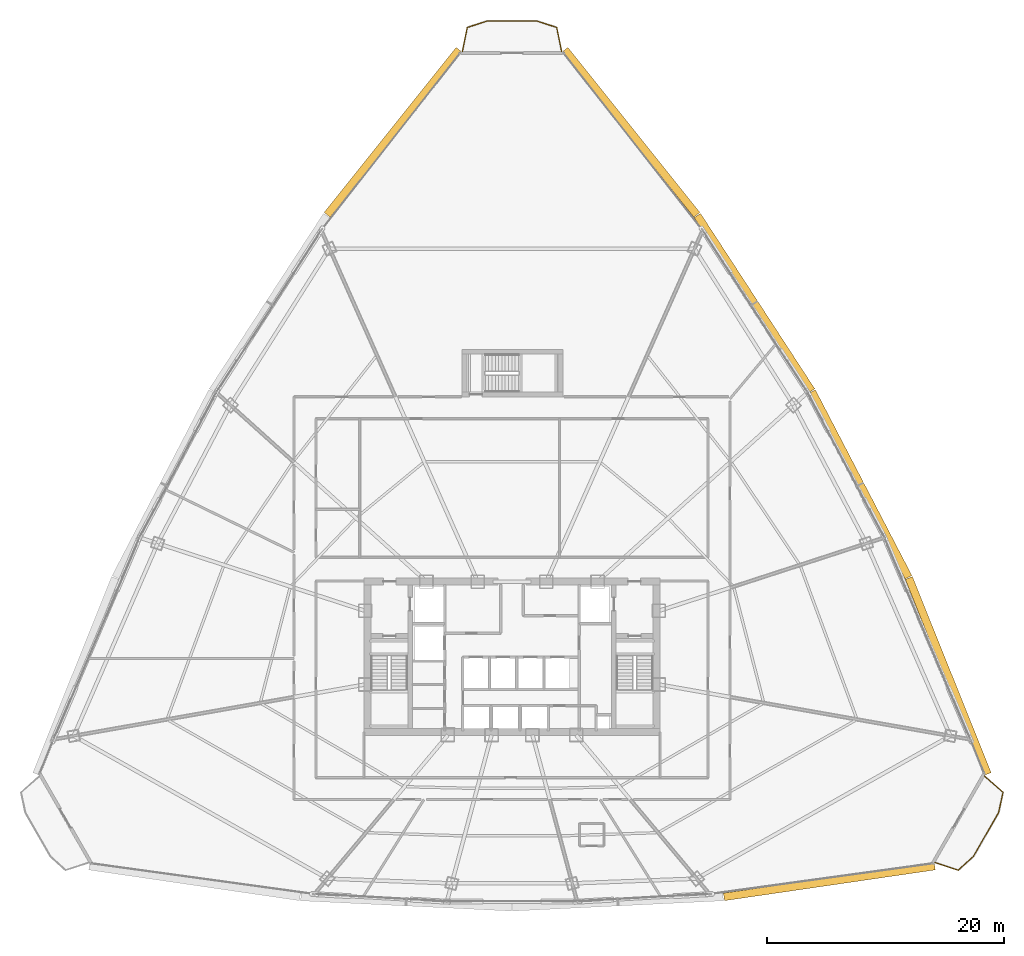
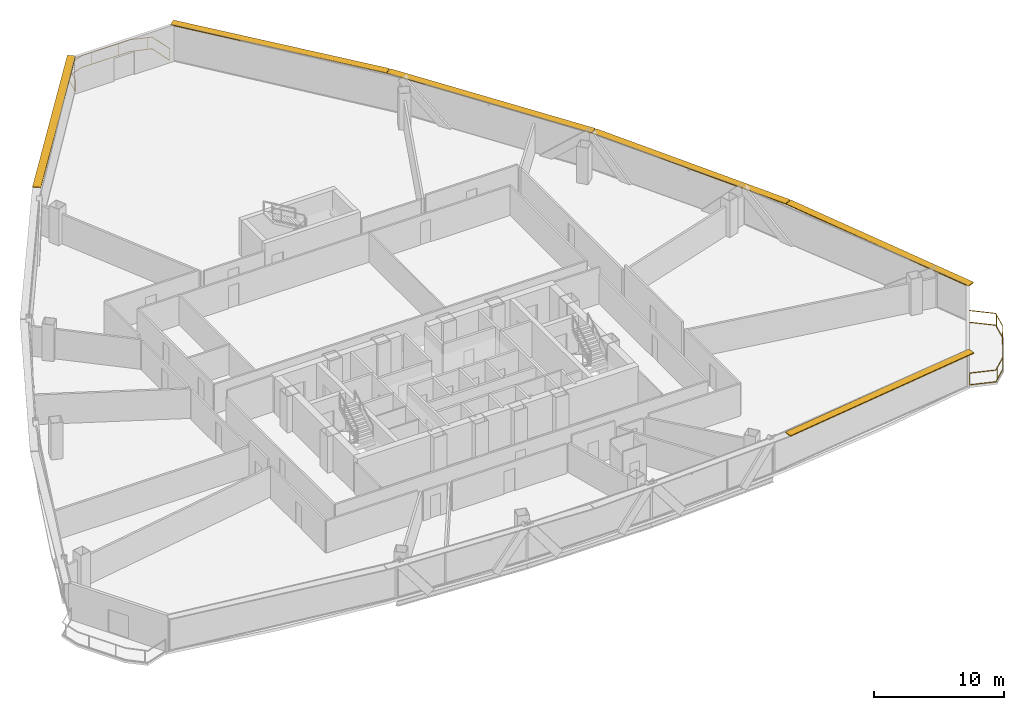
# One storey, part 39 of 39: 6 shading devices, 2 railings.
"""IFC4 building model written with IfcOpenShell, lengths in metres."""

from ifc_helpers import new_model, si_unit, direction, frame, origin, origin_2d, place, context, subcontext, project, spatial, rectangle, extrude, source, transform, mapped, material, layer, layer_set, type_object, element, save


model = new_model("IFC4")

# Units and contexts
model_context = context("Model", 3, precision=1e-05, world=origin(), true_north=direction((0.0, 1.0)))
body_context = subcontext(model_context, "Body", "Model", "MODEL_VIEW")
ifc_project = project(units=[si_unit("LENGTHUNIT", "METRE"), si_unit("AREAUNIT", "SQUARE_METRE"), si_unit("VOLUMEUNIT", "CUBIC_METRE"), si_unit("PLANEANGLEUNIT", "RADIAN"), si_unit("MASSUNIT", "GRAM", prefix="KILO"), si_unit("THERMODYNAMICTEMPERATUREUNIT", "KELVIN"), si_unit("POWERUNIT", "WATT")], contexts=[model_context])

# Site, building, storey
site_placement = place(None, origin())
site = spatial("IfcSite", under=ifc_project, at=site_placement, CompositionType="ELEMENT")
building_placement = place(site_placement, origin())
building = spatial("IfcBuilding", under=site, at=building_placement, Name="Yunzhuo Pagoda Commons", CompositionType="ELEMENT")
storey_placement = place(building_placement, frame((0.0, 0.0, 140.8701171875)))
storey = spatial("IfcBuildingStorey", under=building, at=storey_placement, Name="L35", CompositionType="ELEMENT", Elevation=140.8701171875)

# Railings
ifc_material = material(Name="Anodized aluminium 6063-T6", Category="aluminium")
railing_type = type_object("IfcRailingType", Name="RL-BAL1 Exterior Terrace & Balcony Balustrade 1150", PredefinedType="BALUSTRADE", material=ifc_material)
railing_1_placement = place(storey_placement, frame((83.715087890625, 16.4912109375, 0.0)))
element("IfcRailing", 1, at=railing_1_placement, inside=storey, type_object=railing_type, Name="L35 corner balcony balustrade V2", PredefinedType="BALUSTRADE", context=body_context, shape_type="SweptSolid", body=[
    extrude(rectangle(XDim=0.048095703125, YDim=0.048095703125, at=origin_2d()), frame((0.0, 0.0, 1.1259765625), z_axis=(0.947419062147, -0.319995501031, 0.0), x_axis=(0.319995501031, 0.947419062147, 0.0)), (0.0, 0.0, 1.0), 2.05908203125),
    extrude(rectangle(XDim=0.048095703125, YDim=0.048095703125, at=origin_2d()), frame((0.0, 0.0, 0.02392578125), z_axis=(0.947419062147, -0.319995501031, 0.0), x_axis=(0.319995501031, 0.947419062147, 0.0)), (0.0, 0.0, 1.0), 2.05908203125),
    extrude(rectangle(XDim=0.048095703125, YDim=0.048095703125, at=origin_2d()), frame((1.950927734375, -0.658935546875, 1.1259765625), z_axis=(0.738206272815, 0.674575050514, 0.0), x_axis=(-0.674575050514, 0.738206272815, 0.0)), (0.0, 0.0, 1.0), 1.741943359375),
    extrude(rectangle(XDim=0.048095703125, YDim=0.048095703125, at=origin_2d()), frame((1.950927734375, -0.658935546875, 0.02392578125), z_axis=(0.738206272815, 0.674575050514, 0.0), x_axis=(-0.674575050514, 0.738206272815, 0.0)), (0.0, 0.0, 1.0), 1.741943359375),
    extrude(rectangle(XDim=0.048095703125, YDim=0.048095703125, at=origin_2d()), frame((3.23681640625, 0.51611328125, 1.1259765625), z_axis=(0.497938246053, 0.867212490176, 0.0), x_axis=(-0.867212490176, 0.497938246053, 0.0)), (0.0, 0.0, 1.0), 4.27880859375),
    extrude(rectangle(XDim=0.048095703125, YDim=0.048095703125, at=origin_2d()), frame((3.23681640625, 0.51611328125, 0.02392578125), z_axis=(0.497938246053, 0.867212490176, 0.0), x_axis=(-0.867212490176, 0.497938246053, 0.0)), (0.0, 0.0, 1.0), 4.27880859375),
    extrude(rectangle(XDim=0.048095703125, YDim=0.048095703125, at=origin_2d()), frame((5.367431640625, 4.226806640625, 1.1259765625), z_axis=(0.210380911568, 0.977619492465, 0.0), x_axis=(-0.977619492465, 0.210380911568, 0.0)), (0.0, 0.0, 1.0), 1.741943359375),
    extrude(rectangle(XDim=0.048095703125, YDim=0.048095703125, at=origin_2d()), frame((5.367431640625, 4.226806640625, 0.02392578125), z_axis=(0.210380911568, 0.977619492465, 0.0), x_axis=(-0.977619492465, 0.210380911568, 0.0)), (0.0, 0.0, 1.0), 1.741943359375),
    extrude(rectangle(XDim=0.048095703125, YDim=0.048095703125, at=origin_2d()), frame((5.73388671875, 5.9296875, 1.1259765625), z_axis=(-0.753933830692, 0.656950362614, 0.0), x_axis=(-0.656950362614, -0.753933830692, 0.0)), (0.0, 0.0, 1.0), 2.05908203125),
    extrude(rectangle(XDim=0.048095703125, YDim=0.048095703125, at=origin_2d()), frame((5.73388671875, 5.9296875, 0.02392578125), z_axis=(-0.753933830692, 0.656950362614, 0.0), x_axis=(-0.656950362614, -0.753933830692, 0.0)), (0.0, 0.0, 1.0), 2.05908203125),
    extrude(rectangle(XDim=0.0419921875, YDim=0.0419921875, at=origin_2d()), origin(), (0.0, 0.0, 1.0), 1.101806640625),
    extrude(rectangle(XDim=0.0419921875, YDim=0.0419921875, at=origin_2d()), frame((2.202392578125, -0.428955078125, 0.0)), (0.0, 0.0, 1.0), 1.101806640625),
    extrude(rectangle(XDim=0.0419921875, YDim=0.0419921875, at=origin_2d()), frame((3.734130859375, 1.38232421875, 0.0)), (0.0, 0.0, 1.0), 1.101806640625),
    extrude(rectangle(XDim=0.0419921875, YDim=0.0419921875, at=origin_2d()), frame((4.92919921875, 3.463623046875, 0.0)), (0.0, 0.0, 1.0), 1.101806640625),
    extrude(rectangle(XDim=0.0419921875, YDim=0.0419921875, at=origin_2d()), frame((5.687255859375, 5.712890625, 0.0)), (0.0, 0.0, 1.0), 1.101806640625),
    extrude(rectangle(XDim=0.0419921875, YDim=0.0419921875, at=origin_2d()), frame((4.181396484375, 7.282470703125, 0.0)), (0.0, 0.0, 1.0), 1.101806640625),
])
railing_2_placement = place(storey_placement, frame((52.18115234375, 84.958251953125, 0.0)))
element("IfcRailing", 2, at=railing_2_placement, inside=storey, type_object=railing_type, Name="L35 corner balcony balustrade V3", PredefinedType="BALUSTRADE", context=body_context, shape_type="SweptSolid", body=[
    extrude(rectangle(XDim=0.048095703125, YDim=0.048095703125, at=origin_2d()), frame((0.0, 0.0, 1.1259765625), z_axis=(-0.194314652384, 0.980939251875, 0.0), x_axis=(-0.980939251875, -0.194314652384, 0.0)), (0.0, 0.0, 1.0), 2.059326171875),
    extrude(rectangle(XDim=0.048095703125, YDim=0.048095703125, at=origin_2d()), frame((0.0, 0.0, 0.02392578125), z_axis=(-0.194314652384, 0.980939251875, 0.0), x_axis=(-0.980939251875, -0.194314652384, 0.0)), (0.0, 0.0, 1.0), 2.059326171875),
    extrude(rectangle(XDim=0.048095703125, YDim=0.048095703125, at=origin_2d()), frame((-0.400146484375, 2.02001953125, 1.1259765625), z_axis=(-0.952104734014, 0.30577209727, 0.0), x_axis=(-0.30577209727, -0.952104734014, 0.0)), (0.0, 0.0, 1.0), 1.7333984375),
    extrude(rectangle(XDim=0.048095703125, YDim=0.048095703125, at=origin_2d()), frame((-0.400146484375, 2.02001953125, 0.02392578125), z_axis=(-0.952104734014, 0.30577209727, 0.0), x_axis=(-0.30577209727, -0.952104734014, 0.0)), (0.0, 0.0, 1.0), 1.7333984375),
    extrude(rectangle(XDim=0.048095703125, YDim=0.048095703125, at=origin_2d()), frame((-2.050537109375, 2.550048828125, 1.1259765625), z_axis=(-1.0, 0.0, 0.0), x_axis=(0.0, -1.0, 0.0)), (0.0, 0.0, 1.0), 4.26123046875),
    extrude(rectangle(XDim=0.048095703125, YDim=0.048095703125, at=origin_2d()), frame((-2.050537109375, 2.550048828125, 0.02392578125), z_axis=(-1.0, 0.0, 0.0), x_axis=(0.0, -1.0, 0.0)), (0.0, 0.0, 1.0), 4.26123046875),
    extrude(rectangle(XDim=0.048095703125, YDim=0.048095703125, at=origin_2d()), frame((-6.311767578125, 2.550048828125, 1.1259765625), z_axis=(-0.952104734014, -0.30577209727, 0.0), x_axis=(0.30577209727, -0.952104734014, 0.0)), (0.0, 0.0, 1.0), 1.7333984375),
    extrude(rectangle(XDim=0.048095703125, YDim=0.048095703125, at=origin_2d()), frame((-6.311767578125, 2.550048828125, 0.02392578125), z_axis=(-0.952104734014, -0.30577209727, 0.0), x_axis=(0.30577209727, -0.952104734014, 0.0)), (0.0, 0.0, 1.0), 1.7333984375),
    extrude(rectangle(XDim=0.048095703125, YDim=0.048095703125, at=origin_2d()), frame((-7.962158203125, 2.02001953125, 1.1259765625), z_axis=(-0.194314652384, -0.980939251875, 0.0), x_axis=(0.980939251875, -0.194314652384, 0.0)), (0.0, 0.0, 1.0), 2.059326171875),
    extrude(rectangle(XDim=0.048095703125, YDim=0.048095703125, at=origin_2d()), frame((-7.962158203125, 2.02001953125, 0.02392578125), z_axis=(-0.194314652384, -0.980939251875, 0.0), x_axis=(0.980939251875, -0.194314652384, 0.0)), (0.0, 0.0, 1.0), 2.059326171875),
    extrude(rectangle(XDim=0.0419921875, YDim=0.0419921875, at=origin_2d()), origin(), (0.0, 0.0, 1.0), 1.101806640625),
    extrude(rectangle(XDim=0.0419921875, YDim=0.0419921875, at=origin_2d()), frame((-0.724609375, 2.124267578125, 0.0)), (0.0, 0.0, 1.0), 1.101806640625),
    extrude(rectangle(XDim=0.0419921875, YDim=0.0419921875, at=origin_2d()), frame((-3.057861328125, 2.550048828125, 0.0)), (0.0, 0.0, 1.0), 1.101806640625),
    extrude(rectangle(XDim=0.0419921875, YDim=0.0419921875, at=origin_2d()), frame((-5.457763671875, 2.550048828125, 0.0)), (0.0, 0.0, 1.0), 1.101806640625),
    extrude(rectangle(XDim=0.0419921875, YDim=0.0419921875, at=origin_2d()), frame((-7.78369140625, 2.077392578125, 0.0)), (0.0, 0.0, 1.0), 1.101806640625),
    extrude(rectangle(XDim=0.0419921875, YDim=0.0419921875, at=origin_2d()), frame((-8.3623046875, 0.0, 0.0)), (0.0, 0.0, 1.0), 1.101806640625),
])

# Shading devices
ifc_layer = layer(ifc_material, 0.080078125)
ifc_layer_set = layer_set([ifc_layer], Name="Anodized aluminium 6063-T6")
shading_device_type = type_object("IfcShadingDeviceType", Name="SH-SUN1 Pagoda Horizontal Sunshade Eave 650", PredefinedType="USERDEFINED", material=ifc_layer_set)
shared_shape_1 = source(origin(), body_context, "Body", "SweptSolid", [
    extrude(rectangle(XDim=17.98681640625, YDim=0.64990234375, at=origin_2d()), origin(), (0.0, 0.0, 1.0), 0.080078125),
])
shading_device_placement = place(storey_placement, frame((74.791015625, 14.882080078125, 3.33984375), z_axis=(0.0, 0.0, 1.0), x_axis=(0.989510666697, 0.144459823108, 0.0)))
element("IfcShadingDevice", 3, at=shading_device_placement, inside=storey, type_object=shading_device_type, Name="L35 horizontal pagoda sunshade eave F1.4", ObjectType="SUNSHADE", PredefinedType="USERDEFINED", context=body_context, shape_type="MappedRepresentation", body=[
    mapped(shared_shape_1, transform((0.0, 0.0, 0.0), scale=1.0)),
])
shared_shape_2 = source(origin(), body_context, "Body", "SweptSolid", [
    extrude(rectangle(XDim=17.842041015625, YDim=0.64990234375, at=origin_2d()), origin(), (0.0, 0.0, 1.0), 0.080078125),
])
for number, where, z_axis, x_axis, name in (
    (4, (84.823974609375, 32.228271484375, 3.33984375), (0.0, 0.0, 1.0), (-0.372987782576, 0.927836253899, 0.0), "L35 horizontal pagoda sunshade eave F2.1"),
    (5, (58.032470703125, 78.125, 3.33984375), (0.0, 0.0, 1.0), (-0.624520471688, 0.781008438138, 0.0), "L35 horizontal pagoda sunshade eave F2.4"),
    (6, (37.967529296875, 78.125, 3.33984375), (0.0, 0.0, 1.0), (-0.624520471688, -0.781008438138, 0.0), "L35 horizontal pagoda sunshade eave F3.1"),
):
    element("IfcShadingDevice", number, at=place(storey_placement, frame(where, z_axis=z_axis, x_axis=x_axis)), inside=storey, type_object=shading_device_type, Name=name, ObjectType="SUNSHADE", PredefinedType="USERDEFINED", context=body_context, shape_type="MappedRepresentation", body=[
        mapped(shared_shape_2, transform((0.0, 0.0, 0.0), scale=1.0)),
    ])
shared_shape_3 = source(origin(), body_context, "Body", "SweptSolid", [
    extrude(rectangle(XDim=17.672607421875, YDim=0.64990234375, at=origin_2d()), origin(), (0.0, 0.0, 1.0), 0.080078125),
])
for number, where, z_axis, x_axis, name in (
    (7, (77.394775390625, 48.403564453125, 3.33984375), (0.0, 0.0, 1.0), (-0.461206683033, 0.88729273384, 0.0), "L35 horizontal pagoda sunshade eave F2.2"),
    (8, (68.464111328125, 63.70263671875, 3.33984375), (0.0, 0.0, 1.0), (-0.545853380833, 0.837880711458, 0.0), "L35 horizontal pagoda sunshade eave F2.3"),
):
    element("IfcShadingDevice", number, at=place(storey_placement, frame(where, z_axis=z_axis, x_axis=x_axis)), inside=storey, type_object=shading_device_type, Name=name, ObjectType="SUNSHADE", PredefinedType="USERDEFINED", context=body_context, shape_type="MappedRepresentation", body=[
        mapped(shared_shape_3, transform((0.0, 0.0, 0.0), scale=1.0)),
    ])

save(model, "model.ifc")
